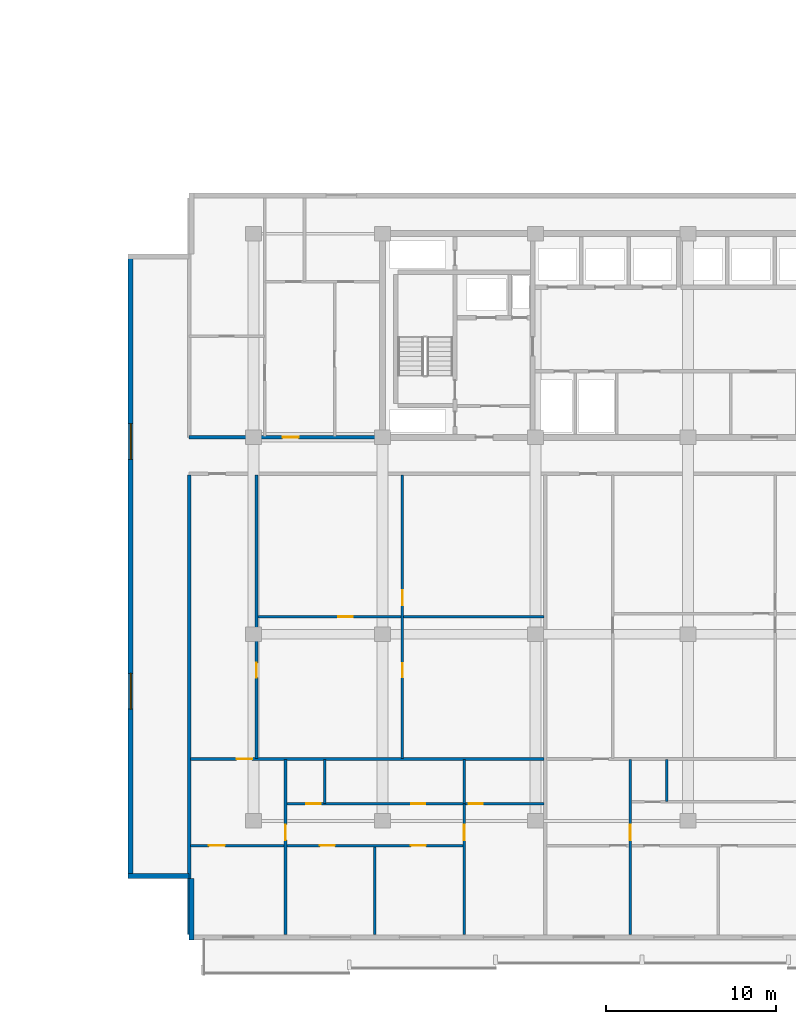
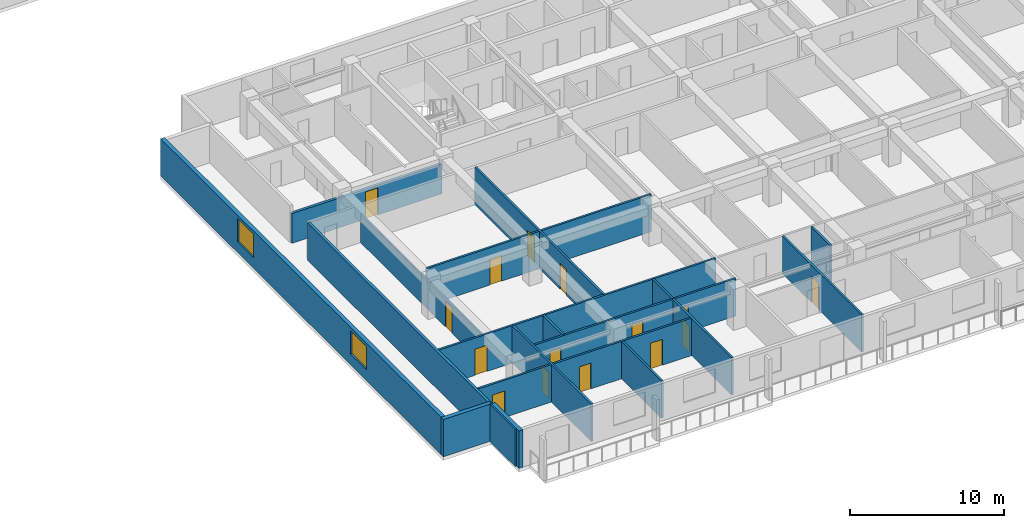
# One storey, part 3 of 23: 18 walls, 15 doors, 2 windows, 17 openings.
"""IFC4 building model written with IfcOpenShell, lengths in metres."""

from ifc_helpers import new_model, si_unit, direction, frame, frame_2d, origin, place, context, subcontext, project, spatial, rectangle, extrude, material, layer, layer_set, type_object, element, fill, save


model = new_model("IFC4")

# Units and contexts
model_context = context("Model", 3, precision=1e-05, world=origin(), true_north=direction((0.0, 1.0)))
body_context = subcontext(model_context, "Body", "Model", "MODEL_VIEW")
ifc_project = project(units=[si_unit("LENGTHUNIT", "METRE"), si_unit("AREAUNIT", "SQUARE_METRE"), si_unit("VOLUMEUNIT", "CUBIC_METRE"), si_unit("PLANEANGLEUNIT", "RADIAN"), si_unit("MASSUNIT", "GRAM", prefix="KILO")], contexts=[model_context])

# Site, building, storey
site_placement = place(None, origin())
site = spatial("IfcSite", under=ifc_project, at=site_placement, CompositionType="ELEMENT")
building_placement = place(site_placement, origin())
building = spatial("IfcBuilding", under=site, at=building_placement, Name="Korimba Cascade Residences", CompositionType="ELEMENT")
storey_placement = place(building_placement, frame((0.0, 0.0, 53.25)))
storey = spatial("IfcBuildingStorey", under=building, at=storey_placement, Name="L14", CompositionType="ELEMENT", Elevation=53.25)

# Wall, openings, windows
ifc_material_1 = material(Name="Precast concrete C40/50", Category="concrete")
ifc_layer_1 = layer(ifc_material_1, 0.300048828125)
ifc_layer_set_1 = layer_set([ifc_layer_1], Name="Precast concrete C40/50")
wall_type_1 = type_object("IfcWallType", Name="EW-STONE-300", PredefinedType="STANDARD", material=ifc_layer_set_1)
wall_1_placement = place(storey_placement, frame((67.25, 29.199951171875, 0.0), z_axis=(0.0, 0.0, 1.0), x_axis=(0.0, -1.0, 0.0)))
wall_1 = element("IfcWall", 1, at=wall_1_placement, inside=storey, type_object=wall_type_1, Name="L14 T2 Perimeter Stone Wall E09", PredefinedType="STANDARD", context=body_context, shape_type="SweptSolid", body=[
    extrude(rectangle(XDim=36.800048828125, YDim=0.300048828125, at=frame_2d((18.39990234375, 0.0))), origin(), (0.0, 0.0, 1.0), 2.969970703125),
])
opening_1_placement = place(wall_1_placement, frame((9.989990234375, 0.0, 0.85009765625)))
opening_1 = element("IfcOpeningElement", 2, at=opening_1_placement, cuts=wall_1, Name="Opening W-03", PredefinedType="OPENING", context=body_context, shape_type="SweptSolid", body=[
    extrude(rectangle(XDim=2.10009765625, YDim=1.85009765625, at=frame_2d((1.050048828125, 0.925048828125))), frame((0.0, 0.16015625, 0.0), z_axis=(0.0, -1.0, 0.0), x_axis=(1.0, 0.0, 0.0)), (0.0, 0.0, 1.0), 0.320068359375),
])
opening_2_placement = place(wall_1_placement, frame((24.7099609375, 0.0, 0.85009765625)))
opening_2 = element("IfcOpeningElement", 3, at=opening_2_placement, cuts=wall_1, Name="Opening W-03", PredefinedType="OPENING", context=body_context, shape_type="SweptSolid", body=[
    extrude(rectangle(XDim=2.10009765625, YDim=1.85009765625, at=frame_2d((1.050048828125, 0.925048828125))), frame((0.0, 0.16015625, 0.0), z_axis=(0.0, -1.0, 0.0), x_axis=(1.0, 0.0, 0.0)), (0.0, 0.0, 1.0), 0.320068359375),
])
ifc_material_2 = material(Name="Double-Glazed Aluminium Window", Category="aluminium")
window_type = type_object("IfcWindowType", Name="WIN-CRN-2100", PartitioningType="DOUBLE_PANEL_HORIZONTAL", PredefinedType="WINDOW", material=ifc_material_2)
window_1_placement = place(opening_1_placement, origin())
window_1 = element("IfcWindow", 4, at=window_1_placement, inside=storey, type_object=window_type, Name="L14 T2 End View Window 9.1", OverallHeight=1.85009765625, OverallWidth=2.10009765625, PartitioningType="DOUBLE_PANEL_HORIZONTAL", PredefinedType="WINDOW", context=body_context, shape_type="SweptSolid", body=[
    extrude(rectangle(XDim=2.10009765625, YDim=1.85009765625, at=frame_2d((1.050048828125, 0.925048828125))), frame((0.0, 0.030029296875, 0.0), z_axis=(0.0, -1.0, 0.0), x_axis=(1.0, 0.0, 0.0)), (0.0, 0.0, 1.0), 0.06005859375),
])
fill(opening_1, window_1)
window_2_placement = place(opening_2_placement, origin())
window_2 = element("IfcWindow", 5, at=window_2_placement, inside=storey, type_object=window_type, Name="L14 T2 End View Window 9.2", OverallHeight=1.85009765625, OverallWidth=2.10009765625, PartitioningType="DOUBLE_PANEL_HORIZONTAL", PredefinedType="WINDOW", context=body_context, shape_type="SweptSolid", body=[
    extrude(rectangle(XDim=2.10009765625, YDim=1.85009765625, at=frame_2d((1.050048828125, 0.925048828125))), frame((0.0, 0.030029296875, 0.0), z_axis=(0.0, -1.0, 0.0), x_axis=(1.0, 0.0, 0.0)), (0.0, 0.0, 1.0), 0.06005859375),
])
fill(opening_2, window_2)

# Walls
for number, where, z_axis, x_axis, name in (
    (6, (67.10009765625, -7.449951171875, 0.0), (0.0, 0.0, 1.0), (1.0, 0.0, 0.0), "L14 T2 Perimeter Stone Wall E10"),
    (7, (70.85009765625, -7.60009765625, 0.0), (0.0, 0.0, 1.0), (0.0, -1.0, 0.0), "L14 T2 Perimeter Stone Wall E11"),
):
    element("IfcWall", number, at=place(storey_placement, frame(where, z_axis=z_axis, x_axis=x_axis)), inside=storey, type_object=wall_type_1, Name=name, PredefinedType="STANDARD", context=body_context, shape_type="SweptSolid", body=[
        extrude(rectangle(XDim=3.599853515625, YDim=0.300048828125, at=frame_2d((1.7998046875, 0.0))), origin(), (0.0, 0.0, 1.0), 2.969970703125),
    ])

# Wall, opening, door
ifc_layer_2 = layer(ifc_material_1, 0.199951171875)
ifc_layer_set_2 = layer_set([ifc_layer_2], Name="Precast concrete C40/50")
wall_type_2 = type_object("IfcWallType", Name="WAL-IT-200", PredefinedType="PARTITIONING", material=ifc_layer_set_2)
wall_2_placement = place(storey_placement, frame((70.699951171875, 18.39990234375, 0.0), z_axis=(0.0, 0.0, 1.0), x_axis=(1.0, 0.0, 0.0)))
wall_2 = element("IfcWall", 8, at=wall_2_placement, inside=storey, type_object=wall_type_2, Name="L14 Partition Wall WAL-L14-T2-FW-S", PredefinedType="PARTITIONING", context=body_context, shape_type="SweptSolid", body=[
    extrude(rectangle(XDim=11.25, YDim=0.199951171875, at=frame_2d((5.625, 0.0))), origin(), (0.0, 0.0, 1.0), 2.3701171875),
])
opening_3_placement = place(wall_2_placement, frame((5.50634765625, 0.0, 0.0)))
opening_3 = element("IfcOpeningElement", 9, at=opening_3_placement, cuts=wall_2, Name="Opening D-UN1", PredefinedType="OPENING", context=body_context, shape_type="SweptSolid", body=[
    extrude(rectangle(XDim=0.949951171875, YDim=2.14990234375, at=frame_2d((0.47509765625, 1.074951171875))), frame((0.0, 0.10986328125, 0.0), z_axis=(0.0, -1.0, 0.0), x_axis=(1.0, 0.0, 0.0)), (0.0, 0.0, 1.0), 0.219970703125),
])
ifc_material_3 = material(Name="Fire-Rated Hardwood Apartment Entrance Door", Category="wood")
door_type_1 = type_object("IfcDoorType", Name="DR-FD60-950", OperationType="NOTDEFINED", PredefinedType="DOOR", material=ifc_material_3)
door_1_placement = place(opening_3_placement, origin())
door_1 = element("IfcDoor", 10, at=door_1_placement, inside=storey, type_object=door_type_1, Name="L14-T2-FW Entrance Door", OperationType="SINGLE_SWING_RIGHT", OverallHeight=2.14990234375, OverallWidth=0.949951171875, PredefinedType="DOOR", context=body_context, shape_type="SweptSolid", body=[
    extrude(rectangle(XDim=0.949951171875, YDim=2.14990234375, at=frame_2d((0.47509765625, 1.074951171875))), frame((0.0, 0.02490234375, 0.0), z_axis=(0.0, -1.0, 0.0), x_axis=(1.0, 0.0, 0.0)), (0.0, 0.0, 1.0), 0.050048828125),
])
fill(opening_3, door_1)

# Wall
wall_3_placement = place(storey_placement, frame((70.699951171875, -10.89990234375, 0.0), z_axis=(0.0, 0.0, 1.0), x_axis=(0.0, 1.0, 0.0)))
element("IfcWall", 11, at=wall_3_placement, inside=storey, type_object=wall_type_2, Name="L14 Partition Wall WAL-L14-T2-BNDWL", PredefinedType="PARTITIONING", context=body_context, shape_type="SweptSolid", body=[
    extrude(rectangle(XDim=27.06982421875, YDim=0.199951171875, at=frame_2d((13.534912109375, 0.0))), origin(), (0.0, 0.0, 1.0), 2.969970703125),
])

# Wall, openings, doors
ifc_material_4 = material(Name="Insulated Acoustic Stud Partition", Category="gypsum")
ifc_layer_3 = layer(ifc_material_4, 0.14990234375)
ifc_layer_set_3 = layer_set([ifc_layer_3], Name="Insulated Acoustic Stud Partition")
wall_type_3 = type_object("IfcWallType", Name="WAL-PART-150", PredefinedType="PARTITIONING", material=ifc_layer_set_3)
wall_4_placement = place(storey_placement, frame((83.269287109375, -0.510009765625, 0.0), z_axis=(0.0, 0.0, 1.0), x_axis=(0.0, 1.0, 0.0)))
wall_4 = element("IfcWall", 12, at=wall_4_placement, inside=storey, type_object=wall_type_3, Name="L14 Partition Wall WAL-L14-T2-U01-FMV", PredefinedType="PARTITIONING", context=body_context, shape_type="SweptSolid", body=[
    extrude(rectangle(XDim=16.699951171875, YDim=0.14990234375, at=frame_2d((8.35009765625, 0.0))), origin(), (0.0, 0.0, 1.0), 2.969970703125),
])
opening_4_placement = place(wall_4_placement, frame((4.7724609375, 0.0, 0.0)))
opening_4 = element("IfcOpeningElement", 13, at=opening_4_placement, cuts=wall_4, Name="Opening D-BT1", PredefinedType="OPENING", context=body_context, shape_type="SweptSolid", body=[
    extrude(rectangle(XDim=0.840087890625, YDim=2.0400390625, at=frame_2d((0.419921875, 1.02001953125))), frame((0.0, 0.0849609375, 0.0), z_axis=(0.0, -1.0, 0.0), x_axis=(1.0, 0.0, 0.0)), (0.0, 0.0, 1.0), 0.169921875),
])
opening_5_placement = place(wall_4_placement, frame((9.01220703125, 0.0, 0.0)))
opening_5 = element("IfcOpeningElement", 14, at=opening_5_placement, cuts=wall_4, Name="Opening D-IN2", PredefinedType="OPENING", context=body_context, shape_type="SweptSolid", body=[
    extrude(rectangle(XDim=0.8798828125, YDim=2.06005859375, at=frame_2d((0.43994140625, 1.030029296875))), frame((0.0, 0.0849609375, 0.0), z_axis=(0.0, -1.0, 0.0), x_axis=(1.0, 0.0, 0.0)), (0.0, 0.0, 1.0), 0.169921875),
])
ifc_material_5 = material(Name="Moisture-Resistant Bathroom Timber Door", Category="wood")
door_type_2 = type_object("IfcDoorType", Name="DR-INT-850", OperationType="NOTDEFINED", PredefinedType="DOOR", material=ifc_material_5)
door_2_placement = place(opening_4_placement, origin())
door_2 = element("IfcDoor", 15, at=door_2_placement, inside=storey, type_object=door_type_2, Name="L14-T2-U01 Wardrobe Door", OperationType="SINGLE_SWING_LEFT", OverallHeight=2.0400390625, OverallWidth=0.840087890625, PredefinedType="DOOR", context=body_context, shape_type="SweptSolid", body=[
    extrude(rectangle(XDim=0.840087890625, YDim=2.0400390625, at=frame_2d((0.419921875, 1.02001953125))), frame((0.0, 0.02490234375, 0.0), z_axis=(0.0, -1.0, 0.0), x_axis=(1.0, 0.0, 0.0)), (0.0, 0.0, 1.0), 0.050048828125),
])
fill(opening_4, door_2)
ifc_material_6 = material(Name="Acoustic Timber Bedroom Door", Category="wood")
door_type_3 = type_object("IfcDoorType", Name="DR-INT-880", OperationType="NOTDEFINED", PredefinedType="DOOR", material=ifc_material_6)
door_3_placement = place(opening_5_placement, origin())
door_3 = element("IfcDoor", 16, at=door_3_placement, inside=storey, type_object=door_type_3, Name="L14-T2-U01 Music Lounge Door", OperationType="SINGLE_SWING_RIGHT", OverallHeight=2.06005859375, OverallWidth=0.8798828125, PredefinedType="DOOR", context=body_context, shape_type="SweptSolid", body=[
    extrude(rectangle(XDim=0.8798828125, YDim=2.06005859375, at=frame_2d((0.43994140625, 1.030029296875))), frame((0.0, 0.02490234375, 0.0), z_axis=(0.0, -1.0, 0.0), x_axis=(1.0, 0.0, 0.0)), (0.0, 0.0, 1.0), 0.050048828125),
])
fill(opening_5, door_3)

# Wall, opening, door
wall_5_placement = place(storey_placement, frame((74.72998046875, 7.840087890625, 0.0), z_axis=(0.0, 0.0, 1.0), x_axis=(1.0, 0.0, 0.0)))
wall_5 = element("IfcWall", 17, at=wall_5_placement, inside=storey, type_object=wall_type_3, Name="L14 Partition Wall WAL-L14-T2-U01-FMH", PredefinedType="PARTITIONING", context=body_context, shape_type="SweptSolid", body=[
    extrude(rectangle(XDim=16.87841796875, YDim=0.14990234375, at=frame_2d((8.439208984375, 0.0))), origin(), (0.0, 0.0, 1.0), 2.969970703125),
])
opening_6_placement = place(wall_5_placement, frame((4.745361328125, 0.0, 0.0)))
opening_6 = element("IfcOpeningElement", 18, at=opening_6_placement, cuts=wall_5, Name="Opening D-IN2", PredefinedType="OPENING", context=body_context, shape_type="SweptSolid", body=[
    extrude(rectangle(XDim=0.8798828125, YDim=2.06005859375, at=frame_2d((0.43994140625, 1.030029296875))), frame((0.0, 0.0849609375, 0.0), z_axis=(0.0, -1.0, 0.0), x_axis=(1.0, 0.0, 0.0)), (0.0, 0.0, 1.0), 0.169921875),
])
door_4_placement = place(opening_6_placement, origin())
door_4 = element("IfcDoor", 19, at=door_4_placement, inside=storey, type_object=door_type_3, Name="L14-T2-U01 Library Salon Door", OperationType="SINGLE_SWING_LEFT", OverallHeight=2.06005859375, OverallWidth=0.8798828125, PredefinedType="DOOR", context=body_context, shape_type="SweptSolid", body=[
    extrude(rectangle(XDim=0.8798828125, YDim=2.06005859375, at=frame_2d((0.43994140625, 1.030029296875))), frame((0.0, 0.02490234375, 0.0), z_axis=(0.0, -1.0, 0.0), x_axis=(1.0, 0.0, 0.0)), (0.0, 0.0, 1.0), 0.050048828125),
])
fill(opening_6, door_4)

wall_6_placement = place(storey_placement, frame((74.669921875, -0.510009765625, 0.0), z_axis=(0.0, 0.0, 1.0), x_axis=(0.0, 1.0, 0.0)))
wall_6 = element("IfcWall", 20, at=wall_6_placement, inside=storey, type_object=wall_type_3, Name="L14 Partition Wall WAL-L14-T2-U01-FV", PredefinedType="PARTITIONING", context=body_context, shape_type="SweptSolid", body=[
    extrude(rectangle(XDim=16.699951171875, YDim=0.14990234375, at=frame_2d((8.35009765625, 0.0))), origin(), (0.0, 0.0, 1.0), 2.219970703125),
])
opening_7_placement = place(wall_6_placement, frame((4.746826171875, 0.0, 0.0)))
opening_7 = element("IfcOpeningElement", 21, at=opening_7_placement, cuts=wall_6, Name="Opening D-IN2", PredefinedType="OPENING", context=body_context, shape_type="SweptSolid", body=[
    extrude(rectangle(XDim=0.8798828125, YDim=2.06005859375, at=frame_2d((0.43994140625, 1.030029296875))), frame((0.0, 0.0849609375, 0.0), z_axis=(0.0, -1.0, 0.0), x_axis=(1.0, 0.0, 0.0)), (0.0, 0.0, 1.0), 0.169921875),
])
door_5_placement = place(opening_7_placement, origin())
door_5 = element("IfcDoor", 22, at=door_5_placement, inside=storey, type_object=door_type_3, Name="L14-T2-U01 Media Lounge Door", OperationType="SINGLE_SWING_RIGHT", OverallHeight=2.06005859375, OverallWidth=0.8798828125, PredefinedType="DOOR", context=body_context, shape_type="SweptSolid", body=[
    extrude(rectangle(XDim=0.8798828125, YDim=2.06005859375, at=frame_2d((0.43994140625, 1.030029296875))), frame((0.0, 0.02490234375, 0.0), z_axis=(0.0, -1.0, 0.0), x_axis=(1.0, 0.0, 0.0)), (0.0, 0.0, 1.0), 0.050048828125),
])
fill(opening_7, door_5)

# Walls
wall_7_placement = place(storey_placement, frame((78.68994140625, -3.169921875, 0.0), z_axis=(0.0, 0.0, 1.0), x_axis=(0.0, 1.0, 0.0)))
element("IfcWall", 23, at=wall_7_placement, inside=storey, type_object=wall_type_3, Name="L14 Partition Wall WAL-L14-T2-U01-VDRS", PredefinedType="PARTITIONING", context=body_context, shape_type="SweptSolid", body=[
    extrude(rectangle(XDim=2.579833984375, YDim=0.14990234375, at=frame_2d((1.2900390625, 0.0))), origin(), (0.0, 0.0, 1.0), 2.969970703125),
])
wall_8_placement = place(storey_placement, frame((81.649169921875, -10.89990234375, 0.0), z_axis=(0.0, 0.0, 1.0), x_axis=(0.0, 1.0, 0.0)))
element("IfcWall", 24, at=wall_8_placement, inside=storey, type_object=wall_type_3, Name="L14 Partition Wall WAL-L14-T2-U01-VB3", PredefinedType="PARTITIONING", context=body_context, shape_type="SweptSolid", body=[
    extrude(rectangle(XDim=5.169921875, YDim=0.14990234375, at=frame_2d((2.5849609375, 0.0))), origin(), (0.0, 0.0, 1.0), 2.969970703125),
])

# Wall, opening, door
wall_9_placement = place(storey_placement, frame((76.3798828125, -10.89990234375, 0.0), z_axis=(0.0, 0.0, 1.0), x_axis=(0.0, 1.0, 0.0)))
wall_9 = element("IfcWall", 25, at=wall_9_placement, inside=storey, type_object=wall_type_3, Name="L14 Partition Wall WAL-L14-T2-U01-V1", PredefinedType="PARTITIONING", context=body_context, shape_type="SweptSolid", body=[
    extrude(rectangle(XDim=10.309814453125, YDim=0.14990234375, at=frame_2d((5.15478515625, 0.0))), origin(), (0.0, 0.0, 1.0), 2.969970703125),
])
opening_8_placement = place(wall_9_placement, frame((5.570068359375, 0.0, 0.0)))
opening_8 = element("IfcOpeningElement", 26, at=opening_8_placement, cuts=wall_9, Name="Opening D-IN1", PredefinedType="OPENING", context=body_context, shape_type="SweptSolid", body=[
    extrude(rectangle(XDim=0.919921875, YDim=2.080078125, at=frame_2d((0.4599609375, 1.0400390625))), frame((0.0, 0.0849609375, 0.0), z_axis=(0.0, -1.0, 0.0), x_axis=(1.0, 0.0, 0.0)), (0.0, 0.0, 1.0), 0.169921875),
])
ifc_material_7 = material(Name="Acoustic Timber Living Door", Category="wood")
door_type_4 = type_object("IfcDoorType", Name="DR-INT-920", OperationType="NOTDEFINED", PredefinedType="DOOR", material=ifc_material_7)
door_6_placement = place(opening_8_placement, origin())
door_6 = element("IfcDoor", 27, at=door_6_placement, inside=storey, type_object=door_type_4, Name="L14-T2-U01 Hallway Door", OperationType="SINGLE_SWING_LEFT", OverallHeight=2.080078125, OverallWidth=0.919921875, PredefinedType="DOOR", context=body_context, shape_type="SweptSolid", body=[
    extrude(rectangle(XDim=0.919921875, YDim=2.080078125, at=frame_2d((0.4599609375, 1.0400390625))), frame((0.0, 0.02490234375, 0.0), z_axis=(0.0, -1.0, 0.0), x_axis=(1.0, 0.0, 0.0)), (0.0, 0.0, 1.0), 0.050048828125),
])
fill(opening_8, door_6)

# Wall
wall_10_placement = place(storey_placement, frame((86.91845703125, -3.169921875, 0.0), z_axis=(0.0, 0.0, 1.0), x_axis=(0.0, 1.0, 0.0)))
element("IfcWall", 28, at=wall_10_placement, inside=storey, type_object=wall_type_3, Name="L14 Partition Wall WAL-L14-T2-U01-VBATH", PredefinedType="PARTITIONING", context=body_context, shape_type="SweptSolid", body=[
    extrude(rectangle(XDim=2.579833984375, YDim=0.14990234375, at=frame_2d((1.2900390625, 0.0))), origin(), (0.0, 0.0, 1.0), 2.969970703125),
])

# Wall, opening, door
wall_11_placement = place(storey_placement, frame((86.91845703125, -10.89990234375, 0.0), z_axis=(0.0, 0.0, 1.0), x_axis=(0.0, 1.0, 0.0)))
wall_11 = element("IfcWall", 29, at=wall_11_placement, inside=storey, type_object=wall_type_3, Name="L14 Partition Wall WAL-L14-T2-U01-V2FULL", PredefinedType="PARTITIONING", context=body_context, shape_type="SweptSolid", body=[
    extrude(rectangle(XDim=7.68994140625, YDim=0.14990234375, at=frame_2d((3.844970703125, 0.0))), origin(), (0.0, 0.0, 1.0), 2.969970703125),
])
opening_9_placement = place(wall_11_placement, frame((5.570068359375, 0.0, 0.0)))
opening_9 = element("IfcOpeningElement", 30, at=opening_9_placement, cuts=wall_11, Name="Opening D-IN1", PredefinedType="OPENING", context=body_context, shape_type="SweptSolid", body=[
    extrude(rectangle(XDim=0.919921875, YDim=2.080078125, at=frame_2d((0.4599609375, 1.0400390625))), frame((0.0, 0.0849609375, 0.0), z_axis=(0.0, -1.0, 0.0), x_axis=(1.0, 0.0, 0.0)), (0.0, 0.0, 1.0), 0.169921875),
])
door_7_placement = place(opening_9_placement, origin())
door_7 = element("IfcDoor", 31, at=door_7_placement, inside=storey, type_object=door_type_4, Name="L14-T2-U01 Master Bedroom Door", OperationType="SINGLE_SWING_RIGHT", OverallHeight=2.080078125, OverallWidth=0.919921875, PredefinedType="DOOR", context=body_context, shape_type="SweptSolid", body=[
    extrude(rectangle(XDim=0.919921875, YDim=2.080078125, at=frame_2d((0.4599609375, 1.0400390625))), frame((0.0, 0.02490234375, 0.0), z_axis=(0.0, -1.0, 0.0), x_axis=(1.0, 0.0, 0.0)), (0.0, 0.0, 1.0), 0.050048828125),
])
fill(opening_9, door_7)

# Wall, openings, doors
wall_12_placement = place(storey_placement, frame((76.419921875, -3.18994140625, 0.0), z_axis=(0.0, 0.0, 1.0), x_axis=(1.0, 0.0, 0.0)))
wall_12 = element("IfcWall", 32, at=wall_12_placement, inside=storey, type_object=wall_type_3, Name="L14 Partition Wall WAL-L14-T2-U01-HWALL", PredefinedType="PARTITIONING", context=body_context, shape_type="SweptSolid", body=[
    extrude(rectangle(XDim=15.1884765625, YDim=0.14990234375, at=frame_2d((7.59423828125, 0.0))), origin(), (0.0, 0.0, 1.0), 2.969970703125),
])
opening_10_placement = place(wall_12_placement, frame((1.19091796875, 0.0, 0.0)))
opening_10 = element("IfcOpeningElement", 33, at=opening_10_placement, cuts=wall_12, Name="Opening D-BT1", PredefinedType="OPENING", context=body_context, shape_type="SweptSolid", body=[
    extrude(rectangle(XDim=0.840087890625, YDim=2.0400390625, at=frame_2d((0.419921875, 1.02001953125))), frame((0.0, 0.0849609375, 0.0), z_axis=(0.0, -1.0, 0.0), x_axis=(1.0, 0.0, 0.0)), (0.0, 0.0, 1.0), 0.169921875),
])
opening_11_placement = place(wall_12_placement, frame((7.35400390625, 0.0, 0.0)))
opening_11 = element("IfcOpeningElement", 34, at=opening_11_placement, cuts=wall_12, Name="Opening D-BT1", PredefinedType="OPENING", context=body_context, shape_type="SweptSolid", body=[
    extrude(rectangle(XDim=0.840087890625, YDim=2.0400390625, at=frame_2d((0.419921875, 1.02001953125))), frame((0.0, 0.0849609375, 0.0), z_axis=(0.0, -1.0, 0.0), x_axis=(1.0, 0.0, 0.0)), (0.0, 0.0, 1.0), 0.169921875),
])
opening_12_placement = place(wall_12_placement, frame((10.74853515625, 0.0, 0.0)))
opening_12 = element("IfcOpeningElement", 35, at=opening_12_placement, cuts=wall_12, Name="Opening D-BT1", PredefinedType="OPENING", context=body_context, shape_type="SweptSolid", body=[
    extrude(rectangle(XDim=0.840087890625, YDim=2.0400390625, at=frame_2d((0.419921875, 1.02001953125))), frame((0.0, 0.0849609375, 0.0), z_axis=(0.0, -1.0, 0.0), x_axis=(1.0, 0.0, 0.0)), (0.0, 0.0, 1.0), 0.169921875),
])
door_8_placement = place(opening_10_placement, origin())
door_8 = element("IfcDoor", 36, at=door_8_placement, inside=storey, type_object=door_type_2, Name="L14-T2-U01 Family Bathroom Door", OperationType="SINGLE_SWING_LEFT", OverallHeight=2.0400390625, OverallWidth=0.840087890625, PredefinedType="DOOR", context=body_context, shape_type="SweptSolid", body=[
    extrude(rectangle(XDim=0.840087890625, YDim=2.0400390625, at=frame_2d((0.419921875, 1.02001953125))), frame((0.0, 0.02490234375, 0.0), z_axis=(0.0, -1.0, 0.0), x_axis=(1.0, 0.0, 0.0)), (0.0, 0.0, 1.0), 0.050048828125),
])
fill(opening_10, door_8)
door_9_placement = place(opening_11_placement, origin())
door_9 = element("IfcDoor", 37, at=door_9_placement, inside=storey, type_object=door_type_2, Name="L14-T2-U01 Dressing Room Door", OperationType="SINGLE_SWING_RIGHT", OverallHeight=2.0400390625, OverallWidth=0.840087890625, PredefinedType="DOOR", context=body_context, shape_type="SweptSolid", body=[
    extrude(rectangle(XDim=0.840087890625, YDim=2.0400390625, at=frame_2d((0.419921875, 1.02001953125))), frame((0.0, 0.02490234375, 0.0), z_axis=(0.0, -1.0, 0.0), x_axis=(1.0, 0.0, 0.0)), (0.0, 0.0, 1.0), 0.050048828125),
])
fill(opening_11, door_9)
door_10_placement = place(opening_12_placement, origin())
door_10 = element("IfcDoor", 38, at=door_10_placement, inside=storey, type_object=door_type_2, Name="L14-T2-U01 En-Suite Door", OperationType="SINGLE_SWING_LEFT", OverallHeight=2.0400390625, OverallWidth=0.840087890625, PredefinedType="DOOR", context=body_context, shape_type="SweptSolid", body=[
    extrude(rectangle(XDim=0.840087890625, YDim=2.0400390625, at=frame_2d((0.419921875, 1.02001953125))), frame((0.0, 0.02490234375, 0.0), z_axis=(0.0, -1.0, 0.0), x_axis=(1.0, 0.0, 0.0)), (0.0, 0.0, 1.0), 0.050048828125),
])
fill(opening_12, door_10)

# Wall, opening, door
wall_13_placement = place(storey_placement, frame((70.780029296875, -0.550048828125, 0.0), z_axis=(0.0, 0.0, 1.0), x_axis=(1.0, 0.0, 0.0)))
wall_13 = element("IfcWall", 39, at=wall_13_placement, inside=storey, type_object=wall_type_3, Name="L14 Partition Wall WAL-L14-T2-U01-MW", PredefinedType="PARTITIONING", context=body_context, shape_type="SweptSolid", body=[
    extrude(rectangle(XDim=20.828369140625, YDim=0.14990234375, at=frame_2d((10.4140625, 0.0))), origin(), (0.0, 0.0, 1.0), 2.969970703125),
])
opening_13_placement = place(wall_13_placement, frame((2.719970703125, 0.0, 0.0)))
opening_13 = element("IfcOpeningElement", 40, at=opening_13_placement, cuts=wall_13, Name="Opening D-IN1", PredefinedType="OPENING", context=body_context, shape_type="SweptSolid", body=[
    extrude(rectangle(XDim=0.919921875, YDim=2.080078125, at=frame_2d((0.4599609375, 1.0400390625))), frame((0.0, 0.0849609375, 0.0), z_axis=(0.0, -1.0, 0.0), x_axis=(1.0, 0.0, 0.0)), (0.0, 0.0, 1.0), 0.169921875),
])
door_11_placement = place(opening_13_placement, origin())
door_11 = element("IfcDoor", 41, at=door_11_placement, inside=storey, type_object=door_type_4, Name="L14-T2-U01 Kitchen Door", OperationType="SINGLE_SWING_RIGHT", OverallHeight=2.080078125, OverallWidth=0.919921875, PredefinedType="DOOR", context=body_context, shape_type="SweptSolid", body=[
    extrude(rectangle(XDim=0.919921875, YDim=2.080078125, at=frame_2d((0.4599609375, 1.0400390625))), frame((0.0, 0.02490234375, 0.0), z_axis=(0.0, -1.0, 0.0), x_axis=(1.0, 0.0, 0.0)), (0.0, 0.0, 1.0), 0.050048828125),
])
fill(opening_13, door_11)

# Wall, openings, doors
wall_14_placement = place(storey_placement, frame((70.780029296875, -5.64990234375, 0.0), z_axis=(0.0, 0.0, 1.0), x_axis=(1.0, 0.0, 0.0)))
wall_14 = element("IfcWall", 42, at=wall_14_placement, inside=storey, type_object=wall_type_3, Name="L14 Partition Wall WAL-L14-T2-U01-HZ", PredefinedType="PARTITIONING", context=body_context, shape_type="SweptSolid", body=[
    extrude(rectangle(XDim=16.138427734375, YDim=0.14990234375, at=frame_2d((8.0693359375, 0.0))), origin(), (0.0, 0.0, 1.0), 2.969970703125),
])
opening_14_placement = place(wall_14_placement, frame((1.08203125, 0.0, 0.0)))
opening_14 = element("IfcOpeningElement", 43, at=opening_14_placement, cuts=wall_14, Name="Opening D-IN0", PredefinedType="OPENING", context=body_context, shape_type="SweptSolid", body=[
    extrude(rectangle(XDim=0.93994140625, YDim=2.10009765625, at=frame_2d((0.469970703125, 1.050048828125))), frame((0.0, 0.0849609375, 0.0), z_axis=(0.0, -1.0, 0.0), x_axis=(1.0, 0.0, 0.0)), (0.0, 0.0, 1.0), 0.169921875),
])
opening_15_placement = place(wall_14_placement, frame((7.629150390625, 0.0, 0.0)))
opening_15 = element("IfcOpeningElement", 44, at=opening_15_placement, cuts=wall_14, Name="Opening D-IN2", PredefinedType="OPENING", context=body_context, shape_type="SweptSolid", body=[
    extrude(rectangle(XDim=0.8798828125, YDim=2.06005859375, at=frame_2d((0.43994140625, 1.030029296875))), frame((0.0, 0.0849609375, 0.0), z_axis=(0.0, -1.0, 0.0), x_axis=(1.0, 0.0, 0.0)), (0.0, 0.0, 1.0), 0.169921875),
])
opening_16_placement = place(wall_14_placement, frame((12.98486328125, 0.0, 0.0)))
opening_16 = element("IfcOpeningElement", 45, at=opening_16_placement, cuts=wall_14, Name="Opening D-IN2", PredefinedType="OPENING", context=body_context, shape_type="SweptSolid", body=[
    extrude(rectangle(XDim=0.8798828125, YDim=2.06005859375, at=frame_2d((0.43994140625, 1.030029296875))), frame((0.0, 0.0849609375, 0.0), z_axis=(0.0, -1.0, 0.0), x_axis=(1.0, 0.0, 0.0)), (0.0, 0.0, 1.0), 0.169921875),
])
door_12_placement = place(opening_15_placement, origin())
door_12 = element("IfcDoor", 46, at=door_12_placement, inside=storey, type_object=door_type_3, Name="L14-T2-U01 Bedroom 2 Door", OperationType="SINGLE_SWING_RIGHT", OverallHeight=2.06005859375, OverallWidth=0.8798828125, PredefinedType="DOOR", context=body_context, shape_type="SweptSolid", body=[
    extrude(rectangle(XDim=0.8798828125, YDim=2.06005859375, at=frame_2d((0.43994140625, 1.030029296875))), frame((0.0, 0.02490234375, 0.0), z_axis=(0.0, -1.0, 0.0), x_axis=(1.0, 0.0, 0.0)), (0.0, 0.0, 1.0), 0.050048828125),
])
fill(opening_15, door_12)
door_13_placement = place(opening_16_placement, origin())
door_13 = element("IfcDoor", 47, at=door_13_placement, inside=storey, type_object=door_type_3, Name="L14-T2-U01 Bedroom 3 Door", OperationType="SINGLE_SWING_LEFT", OverallHeight=2.06005859375, OverallWidth=0.8798828125, PredefinedType="DOOR", context=body_context, shape_type="SweptSolid", body=[
    extrude(rectangle(XDim=0.8798828125, YDim=2.06005859375, at=frame_2d((0.43994140625, 1.030029296875))), frame((0.0, 0.02490234375, 0.0), z_axis=(0.0, -1.0, 0.0), x_axis=(1.0, 0.0, 0.0)), (0.0, 0.0, 1.0), 0.050048828125),
])
fill(opening_16, door_13)
ifc_material_8 = material(Name="Acoustic Timber Living Archway Door", Category="wood")
door_type_5 = type_object("IfcDoorType", Name="DR-INT-950", OperationType="NOTDEFINED", PredefinedType="DOOR", material=ifc_material_8)
door_14_placement = place(opening_14_placement, origin())
door_14 = element("IfcDoor", 48, at=door_14_placement, inside=storey, type_object=door_type_5, Name="L14-T2-U01 Living Room Door", OperationType="SINGLE_SWING_LEFT", OverallHeight=2.10009765625, OverallWidth=0.93994140625, PredefinedType="DOOR", context=body_context, shape_type="SweptSolid", body=[
    extrude(rectangle(XDim=0.93994140625, YDim=2.10009765625, at=frame_2d((0.469970703125, 1.050048828125))), frame((0.0, 0.02490234375, 0.0), z_axis=(0.0, -1.0, 0.0), x_axis=(1.0, 0.0, 0.0)), (0.0, 0.0, 1.0), 0.050048828125),
])
fill(opening_14, door_14)

# Wall
wall_15_placement = place(storey_placement, frame((98.83837890625, -3.06005859375, 0.0), z_axis=(0.0, 0.0, 1.0), x_axis=(0.0, 1.0, 0.0)))
element("IfcWall", 49, at=wall_15_placement, inside=storey, type_object=wall_type_3, Name="L14 Partition Wall WAL-L14-T2-U02-VDRS", PredefinedType="PARTITIONING", context=body_context, shape_type="SweptSolid", body=[
    extrude(rectangle(XDim=2.469970703125, YDim=0.14990234375, at=frame_2d((1.23486328125, 0.0))), origin(), (0.0, 0.0, 1.0), 2.969970703125),
])

# Wall, opening, door
wall_16_placement = place(storey_placement, frame((96.6884765625, -10.89990234375, 0.0), z_axis=(0.0, 0.0, 1.0), x_axis=(0.0, 1.0, 0.0)))
wall_16 = element("IfcWall", 50, at=wall_16_placement, inside=storey, type_object=wall_type_3, Name="L14 Partition Wall WAL-L14-T2-U02-V1", PredefinedType="PARTITIONING", context=body_context, shape_type="SweptSolid", body=[
    extrude(rectangle(XDim=10.309814453125, YDim=0.14990234375, at=frame_2d((5.15478515625, 0.0))), origin(), (0.0, 0.0, 1.0), 2.969970703125),
])
opening_17_placement = place(wall_16_placement, frame((5.570068359375, 0.0, 0.0)))
opening_17 = element("IfcOpeningElement", 51, at=opening_17_placement, cuts=wall_16, Name="Opening D-IN1", PredefinedType="OPENING", context=body_context, shape_type="SweptSolid", body=[
    extrude(rectangle(XDim=0.919921875, YDim=2.080078125, at=frame_2d((0.4599609375, 1.0400390625))), frame((0.0, 0.0849609375, 0.0), z_axis=(0.0, -1.0, 0.0), x_axis=(1.0, 0.0, 0.0)), (0.0, 0.0, 1.0), 0.169921875),
])
door_15_placement = place(opening_17_placement, origin())
door_15 = element("IfcDoor", 52, at=door_15_placement, inside=storey, type_object=door_type_4, Name="L14-T2-U02 Hallway Door", OperationType="SINGLE_SWING_RIGHT", OverallHeight=2.080078125, OverallWidth=0.919921875, PredefinedType="DOOR", context=body_context, shape_type="SweptSolid", body=[
    extrude(rectangle(XDim=0.919921875, YDim=2.080078125, at=frame_2d((0.4599609375, 1.0400390625))), frame((0.0, 0.02490234375, 0.0), z_axis=(0.0, -1.0, 0.0), x_axis=(1.0, 0.0, 0.0)), (0.0, 0.0, 1.0), 0.050048828125),
])
fill(opening_17, door_15)

save(model, "model.ifc")
